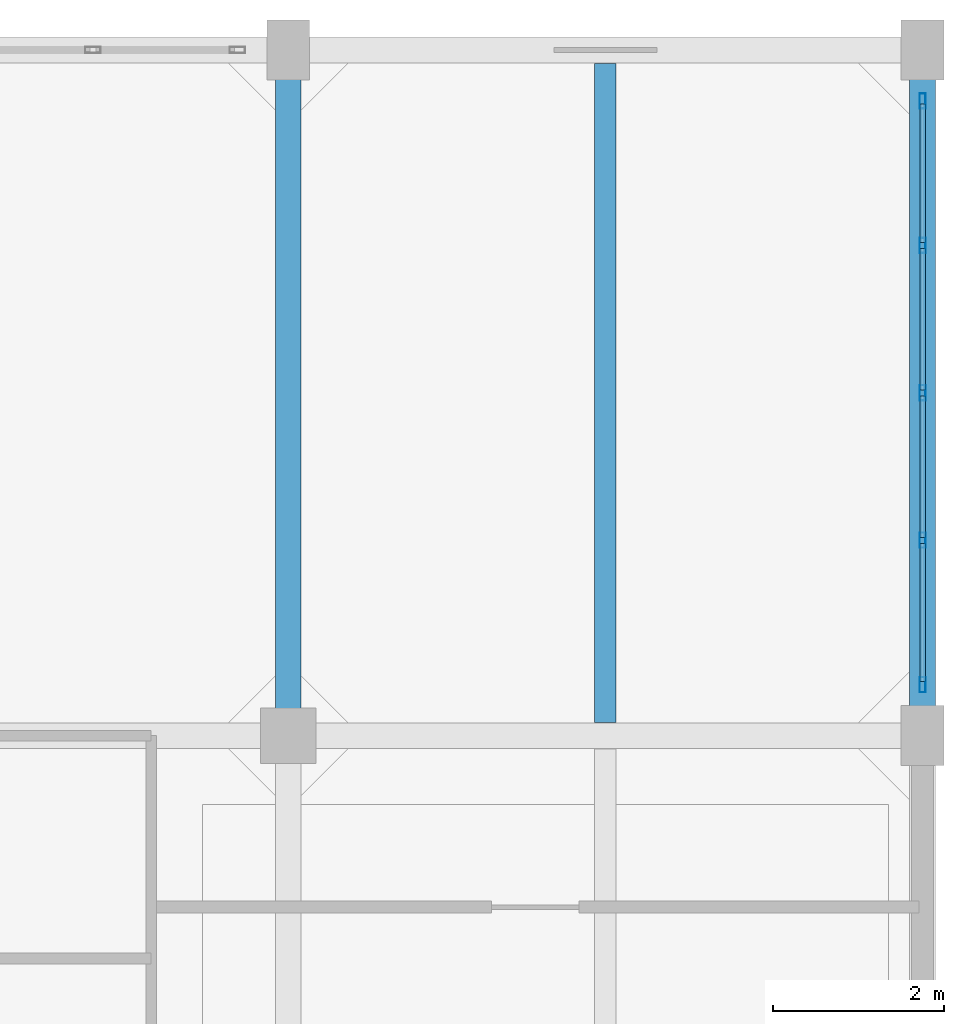
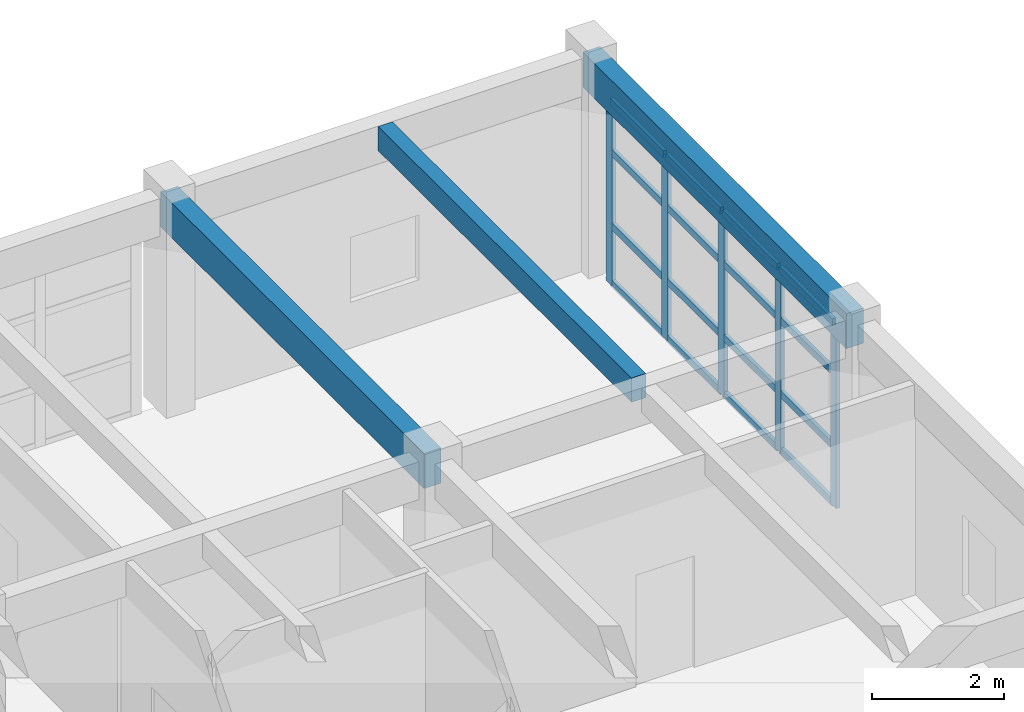
# One storey, part 9 of 16: 21 members, 3 beams, 1 element without a shape of its own.
"""IFC4 building model written with IfcOpenShell, lengths in metres."""

from ifc_helpers import new_model, si_unit, direction, frame, origin, origin_2d, place, context, subcontext, project, spatial, rectangle, hollow_rectangle, extrude, material, layer, layer_set, material_profile, profile_set, type_object, element, aggregate, save


model = new_model("IFC4")

# Units and contexts
model_context = context("Model", 3, precision=1e-05, world=origin(), true_north=direction((0.0, 1.0)))
body_context = subcontext(model_context, "Body", "Model", "MODEL_VIEW")
ifc_project = project(units=[si_unit("LENGTHUNIT", "METRE"), si_unit("AREAUNIT", "SQUARE_METRE"), si_unit("VOLUMEUNIT", "CUBIC_METRE"), si_unit("PLANEANGLEUNIT", "RADIAN"), si_unit("MASSUNIT", "GRAM", prefix="KILO")], contexts=[model_context])

# Site, building, storey
site_placement = place(None, origin())
site = spatial("IfcSite", under=ifc_project, at=site_placement, CompositionType="ELEMENT")
building_placement = place(site_placement, origin())
building = spatial("IfcBuilding", under=site, at=building_placement, Name="Canggui Botanical Conservatory", CompositionType="ELEMENT")
storey_placement = place(building_placement, frame((0.0, 0.0, 65.39990234375)))
storey = spatial("IfcBuildingStorey", under=building, at=storey_placement, Name="L16", CompositionType="ELEMENT", Elevation=65.39990234375)

# Beams
ifc_material_1 = material(Name="Concrete C35", Category="concrete")
ifc_material_profile_1 = material_profile(ifc_material_1, rectangle(XDim=0.25, YDim=0.449951171875, at=origin_2d()), Name="RB 250x450")
ifc_profile_set_1 = profile_set([ifc_material_profile_1], Name="Concrete C35")
beam_type_1 = type_object("IfcBeamType", Name="BM-JST05", PredefinedType="JOIST", material=ifc_profile_set_1)
beam_placement = place(storey_placement, frame((173.699951171875, 58.155029296875, 3.735107421875), z_axis=(0.0, 1.0, 0.0), x_axis=(-1.0, 0.0, 0.0)))
element("IfcBeam", 1, at=beam_placement, inside=storey, type_object=beam_type_1, Name="Secondary Floor Joist L16-4-3", PredefinedType="JOIST", context=body_context, shape_type="SweptSolid", body=[
    extrude(rectangle(XDim=0.25, YDim=0.449951171875, at=origin_2d()), origin(), (0.0, 0.0, 1.0), 7.68994140625),
])
ifc_material_profile_2 = material_profile(ifc_material_1, rectangle(XDim=0.300048828125, YDim=0.64990234375, at=origin_2d()), Name="RB 300x650")
ifc_profile_set_2 = profile_set([ifc_material_profile_2], Name="Concrete C35")
beam_type_2 = type_object("IfcBeamType", Name="BM-KL22", PredefinedType="BEAM", material=ifc_profile_set_2)
for number, where, z_axis, x_axis, name in (
    (2, (170.0, 58.0, 3.635009765625), (0.0, 1.0, 0.0), (-1.0, 0.0, 0.0), "Frame Girder L16 X170-3"),
    (3, (177.39990234375, 58.0, 3.635009765625), (0.0, 1.0, 0.0), (-1.0, 0.0, 0.0), "Frame Girder L16 X178-3"),
):
    element("IfcBeam", number, at=place(storey_placement, frame(where, z_axis=z_axis, x_axis=x_axis)), inside=storey, type_object=beam_type_2, Name=name, PredefinedType="BEAM", context=body_context, shape_type="SweptSolid", body=[
        extrude(rectangle(XDim=0.300048828125, YDim=0.64990234375, at=origin_2d()), origin(), (0.0, 0.0, 1.0), 8.0),
    ])

# Curtain wall, members
ifc_material_2 = material(Name="Thermally Broken Aluminium", Category="aluminium")
ifc_layer = layer(ifc_material_2, 0.179931640625, Name="Thermally Broken Aluminium", Category="aluminium")
ifc_layer_set = layer_set([ifc_layer], Name="Thermally Broken Aluminium")
curtain_wall_type = type_object("IfcCurtainWallType", Name="CW-UNIT-A", PredefinedType="USERDEFINED", material=ifc_layer_set)
curtain_wall_placement = place(storey_placement, origin())
curtain_wall = element("IfcCurtainWall", 4, at=curtain_wall_placement, inside=storey, type_object=curtain_wall_type, Name="Facade Curtain Wall CW-TWR-L16-10", ObjectType="UNITISED CURTAIN WALL", PredefinedType="USERDEFINED")
ifc_material_profile_3 = material_profile(ifc_material_2, hollow_rectangle(XDim=0.070068359375, YDim=0.179931640625, WallThickness=0.00390625, at=origin_2d()), Name="CWM 70x180x4")
ifc_profile_set_3 = profile_set([ifc_material_profile_3], Name="Thermally Broken Aluminium")
member_type_1 = type_object("IfcMemberType", Name="CWM-01", PredefinedType="MULLION", material=ifc_profile_set_3)
member_1_placement = place(storey_placement, frame((177.39990234375, 65.405029296875, 0.0), z_axis=(0.0, 0.0, 1.0), x_axis=(1.0, 0.0, 0.0)))
member_1 = element("IfcMember", 5, at=member_1_placement, type_object=member_type_1, Name="CW-01 mullion 1", PredefinedType="MULLION", context=body_context, shape_type="SweptSolid", body=[
    extrude(hollow_rectangle(XDim=0.070068359375, YDim=0.179931640625, WallThickness=0.00390625, at=origin_2d()), origin(), (0.0, 0.0, 1.0), 3.41015625),
])
member_2_placement = place(storey_placement, frame((177.39990234375, 63.719970703125, 0.0), z_axis=(0.0, 0.0, 1.0), x_axis=(1.0, 0.0, 0.0)))
member_2 = element("IfcMember", 6, at=member_2_placement, type_object=member_type_1, Name="CW-01 mullion 2", PredefinedType="MULLION", context=body_context, shape_type="SweptSolid", body=[
    extrude(hollow_rectangle(XDim=0.070068359375, YDim=0.179931640625, WallThickness=0.00390625, at=origin_2d()), origin(), (0.0, 0.0, 1.0), 3.41015625),
])
member_3_placement = place(storey_placement, frame((177.39990234375, 62.0, 0.0), z_axis=(0.0, 0.0, 1.0), x_axis=(1.0, 0.0, 0.0)))
member_3 = element("IfcMember", 7, at=member_3_placement, type_object=member_type_1, Name="CW-01 mullion 3", PredefinedType="MULLION", context=body_context, shape_type="SweptSolid", body=[
    extrude(hollow_rectangle(XDim=0.070068359375, YDim=0.179931640625, WallThickness=0.00390625, at=origin_2d()), origin(), (0.0, 0.0, 1.0), 3.41015625),
])
member_4_placement = place(storey_placement, frame((177.39990234375, 60.280029296875, 0.0), z_axis=(0.0, 0.0, 1.0), x_axis=(1.0, 0.0, 0.0)))
member_4 = element("IfcMember", 8, at=member_4_placement, type_object=member_type_1, Name="CW-01 mullion 4", PredefinedType="MULLION", context=body_context, shape_type="SweptSolid", body=[
    extrude(hollow_rectangle(XDim=0.070068359375, YDim=0.179931640625, WallThickness=0.00390625, at=origin_2d()), origin(), (0.0, 0.0, 1.0), 3.41015625),
])
member_5_placement = place(storey_placement, frame((177.39990234375, 58.594970703125, 0.0), z_axis=(0.0, 0.0, 1.0), x_axis=(1.0, 0.0, 0.0)))
member_5 = element("IfcMember", 9, at=member_5_placement, type_object=member_type_1, Name="CW-01 mullion 5", PredefinedType="MULLION", context=body_context, shape_type="SweptSolid", body=[
    extrude(hollow_rectangle(XDim=0.070068359375, YDim=0.179931640625, WallThickness=0.00390625, at=origin_2d()), origin(), (0.0, 0.0, 1.0), 3.41015625),
])
ifc_material_profile_4 = material_profile(ifc_material_2, hollow_rectangle(XDim=0.06494140625, YDim=0.1298828125, WallThickness=0.00341796875, at=origin_2d()), Name="CWT 65x130x3.5")
ifc_profile_set_4 = profile_set([ifc_material_profile_4], Name="Thermally Broken Aluminium")
member_type_2 = type_object("IfcMemberType", Name="CWT-01", PredefinedType="USERDEFINED", material=ifc_profile_set_4)
member_6_placement = place(storey_placement, frame((177.39990234375, 65.3701171875, 0.03271484375), z_axis=(0.0, -1.0, 0.0), x_axis=(1.0, 0.0, 0.0)))
member_6 = element("IfcMember", 10, at=member_6_placement, type_object=member_type_2, Name="CW-01 transom 1.1", ObjectType="TRANSOM", PredefinedType="USERDEFINED", context=body_context, shape_type="SweptSolid", body=[
    extrude(hollow_rectangle(XDim=0.06494140625, YDim=0.1298828125, WallThickness=0.00341796875, at=origin_2d()), origin(), (0.0, 0.0, 1.0), 1.615234375),
])
member_7_placement = place(storey_placement, frame((177.39990234375, 65.3701171875, 1.09130859375), z_axis=(0.0, -1.0, 0.0), x_axis=(1.0, 0.0, 0.0)))
member_7 = element("IfcMember", 11, at=member_7_placement, type_object=member_type_2, Name="CW-01 transom 1.2", ObjectType="TRANSOM", PredefinedType="USERDEFINED", context=body_context, shape_type="SweptSolid", body=[
    extrude(hollow_rectangle(XDim=0.06494140625, YDim=0.1298828125, WallThickness=0.00341796875, at=origin_2d()), origin(), (0.0, 0.0, 1.0), 1.615234375),
])
member_8_placement = place(storey_placement, frame((177.39990234375, 65.3701171875, 2.455322265625), z_axis=(0.0, -1.0, 0.0), x_axis=(1.0, 0.0, 0.0)))
member_8 = element("IfcMember", 12, at=member_8_placement, type_object=member_type_2, Name="CW-01 transom 1.3", ObjectType="TRANSOM", PredefinedType="USERDEFINED", context=body_context, shape_type="SweptSolid", body=[
    extrude(hollow_rectangle(XDim=0.06494140625, YDim=0.1298828125, WallThickness=0.00341796875, at=origin_2d()), origin(), (0.0, 0.0, 1.0), 1.615234375),
])
member_9_placement = place(storey_placement, frame((177.39990234375, 65.3701171875, 3.377685546875), z_axis=(0.0, -1.0, 0.0), x_axis=(1.0, 0.0, 0.0)))
member_9 = element("IfcMember", 13, at=member_9_placement, type_object=member_type_2, Name="CW-01 transom 1.4", ObjectType="TRANSOM", PredefinedType="USERDEFINED", context=body_context, shape_type="SweptSolid", body=[
    extrude(hollow_rectangle(XDim=0.06494140625, YDim=0.1298828125, WallThickness=0.00341796875, at=origin_2d()), origin(), (0.0, 0.0, 1.0), 1.615234375),
])
member_10_placement = place(storey_placement, frame((177.39990234375, 63.68505859375, 0.03271484375), z_axis=(0.0, -1.0, 0.0), x_axis=(1.0, 0.0, 0.0)))
member_10 = element("IfcMember", 14, at=member_10_placement, type_object=member_type_2, Name="CW-01 transom 2.1", ObjectType="TRANSOM", PredefinedType="USERDEFINED", context=body_context, shape_type="SweptSolid", body=[
    extrude(hollow_rectangle(XDim=0.06494140625, YDim=0.1298828125, WallThickness=0.00341796875, at=origin_2d()), origin(), (0.0, 0.0, 1.0), 1.650146484375),
])
member_11_placement = place(storey_placement, frame((177.39990234375, 63.68505859375, 1.09130859375), z_axis=(0.0, -1.0, 0.0), x_axis=(1.0, 0.0, 0.0)))
member_11 = element("IfcMember", 15, at=member_11_placement, type_object=member_type_2, Name="CW-01 transom 2.2", ObjectType="TRANSOM", PredefinedType="USERDEFINED", context=body_context, shape_type="SweptSolid", body=[
    extrude(hollow_rectangle(XDim=0.06494140625, YDim=0.1298828125, WallThickness=0.00341796875, at=origin_2d()), origin(), (0.0, 0.0, 1.0), 1.650146484375),
])
member_12_placement = place(storey_placement, frame((177.39990234375, 63.68505859375, 2.455322265625), z_axis=(0.0, -1.0, 0.0), x_axis=(1.0, 0.0, 0.0)))
member_12 = element("IfcMember", 16, at=member_12_placement, type_object=member_type_2, Name="CW-01 transom 2.3", ObjectType="TRANSOM", PredefinedType="USERDEFINED", context=body_context, shape_type="SweptSolid", body=[
    extrude(hollow_rectangle(XDim=0.06494140625, YDim=0.1298828125, WallThickness=0.00341796875, at=origin_2d()), origin(), (0.0, 0.0, 1.0), 1.650146484375),
])
member_13_placement = place(storey_placement, frame((177.39990234375, 63.68505859375, 3.377685546875), z_axis=(0.0, -1.0, 0.0), x_axis=(1.0, 0.0, 0.0)))
member_13 = element("IfcMember", 17, at=member_13_placement, type_object=member_type_2, Name="CW-01 transom 2.4", ObjectType="TRANSOM", PredefinedType="USERDEFINED", context=body_context, shape_type="SweptSolid", body=[
    extrude(hollow_rectangle(XDim=0.06494140625, YDim=0.1298828125, WallThickness=0.00341796875, at=origin_2d()), origin(), (0.0, 0.0, 1.0), 1.650146484375),
])
member_14_placement = place(storey_placement, frame((177.39990234375, 61.965087890625, 0.03271484375), z_axis=(0.0, -1.0, 0.0), x_axis=(1.0, 0.0, 0.0)))
member_14 = element("IfcMember", 18, at=member_14_placement, type_object=member_type_2, Name="CW-01 transom 3.1", ObjectType="TRANSOM", PredefinedType="USERDEFINED", context=body_context, shape_type="SweptSolid", body=[
    extrude(hollow_rectangle(XDim=0.06494140625, YDim=0.1298828125, WallThickness=0.00341796875, at=origin_2d()), origin(), (0.0, 0.0, 1.0), 1.650146484375),
])
member_15_placement = place(storey_placement, frame((177.39990234375, 61.965087890625, 1.09130859375), z_axis=(0.0, -1.0, 0.0), x_axis=(1.0, 0.0, 0.0)))
member_15 = element("IfcMember", 19, at=member_15_placement, type_object=member_type_2, Name="CW-01 transom 3.2", ObjectType="TRANSOM", PredefinedType="USERDEFINED", context=body_context, shape_type="SweptSolid", body=[
    extrude(hollow_rectangle(XDim=0.06494140625, YDim=0.1298828125, WallThickness=0.00341796875, at=origin_2d()), origin(), (0.0, 0.0, 1.0), 1.650146484375),
])
member_16_placement = place(storey_placement, frame((177.39990234375, 61.965087890625, 2.455322265625), z_axis=(0.0, -1.0, 0.0), x_axis=(1.0, 0.0, 0.0)))
member_16 = element("IfcMember", 20, at=member_16_placement, type_object=member_type_2, Name="CW-01 transom 3.3", ObjectType="TRANSOM", PredefinedType="USERDEFINED", context=body_context, shape_type="SweptSolid", body=[
    extrude(hollow_rectangle(XDim=0.06494140625, YDim=0.1298828125, WallThickness=0.00341796875, at=origin_2d()), origin(), (0.0, 0.0, 1.0), 1.650146484375),
])
member_17_placement = place(storey_placement, frame((177.39990234375, 61.965087890625, 3.377685546875), z_axis=(0.0, -1.0, 0.0), x_axis=(1.0, 0.0, 0.0)))
member_17 = element("IfcMember", 21, at=member_17_placement, type_object=member_type_2, Name="CW-01 transom 3.4", ObjectType="TRANSOM", PredefinedType="USERDEFINED", context=body_context, shape_type="SweptSolid", body=[
    extrude(hollow_rectangle(XDim=0.06494140625, YDim=0.1298828125, WallThickness=0.00341796875, at=origin_2d()), origin(), (0.0, 0.0, 1.0), 1.650146484375),
])
member_18_placement = place(storey_placement, frame((177.39990234375, 60.2451171875, 0.03271484375), z_axis=(0.0, -1.0, 0.0), x_axis=(1.0, 0.0, 0.0)))
member_18 = element("IfcMember", 22, at=member_18_placement, type_object=member_type_2, Name="CW-01 transom 4.1", ObjectType="TRANSOM", PredefinedType="USERDEFINED", context=body_context, shape_type="SweptSolid", body=[
    extrude(hollow_rectangle(XDim=0.06494140625, YDim=0.1298828125, WallThickness=0.00341796875, at=origin_2d()), origin(), (0.0, 0.0, 1.0), 1.615234375),
])
member_19_placement = place(storey_placement, frame((177.39990234375, 60.2451171875, 1.09130859375), z_axis=(0.0, -1.0, 0.0), x_axis=(1.0, 0.0, 0.0)))
member_19 = element("IfcMember", 23, at=member_19_placement, type_object=member_type_2, Name="CW-01 transom 4.2", ObjectType="TRANSOM", PredefinedType="USERDEFINED", context=body_context, shape_type="SweptSolid", body=[
    extrude(hollow_rectangle(XDim=0.06494140625, YDim=0.1298828125, WallThickness=0.00341796875, at=origin_2d()), origin(), (0.0, 0.0, 1.0), 1.615234375),
])
member_20_placement = place(storey_placement, frame((177.39990234375, 60.2451171875, 2.455322265625), z_axis=(0.0, -1.0, 0.0), x_axis=(1.0, 0.0, 0.0)))
member_20 = element("IfcMember", 24, at=member_20_placement, type_object=member_type_2, Name="CW-01 transom 4.3", ObjectType="TRANSOM", PredefinedType="USERDEFINED", context=body_context, shape_type="SweptSolid", body=[
    extrude(hollow_rectangle(XDim=0.06494140625, YDim=0.1298828125, WallThickness=0.00341796875, at=origin_2d()), origin(), (0.0, 0.0, 1.0), 1.615234375),
])
member_21_placement = place(storey_placement, frame((177.39990234375, 60.2451171875, 3.377685546875), z_axis=(0.0, -1.0, 0.0), x_axis=(1.0, 0.0, 0.0)))
member_21 = element("IfcMember", 25, at=member_21_placement, type_object=member_type_2, Name="CW-01 transom 4.4", ObjectType="TRANSOM", PredefinedType="USERDEFINED", context=body_context, shape_type="SweptSolid", body=[
    extrude(hollow_rectangle(XDim=0.06494140625, YDim=0.1298828125, WallThickness=0.00341796875, at=origin_2d()), origin(), (0.0, 0.0, 1.0), 1.615234375),
])
aggregate(curtain_wall, [member_1, member_2, member_3, member_4, member_5, member_6, member_7, member_8, member_9, member_10, member_11, member_12, member_13, member_14, member_15, member_16, member_17, member_18, member_19, member_20, member_21])

save(model, "model.ifc")
